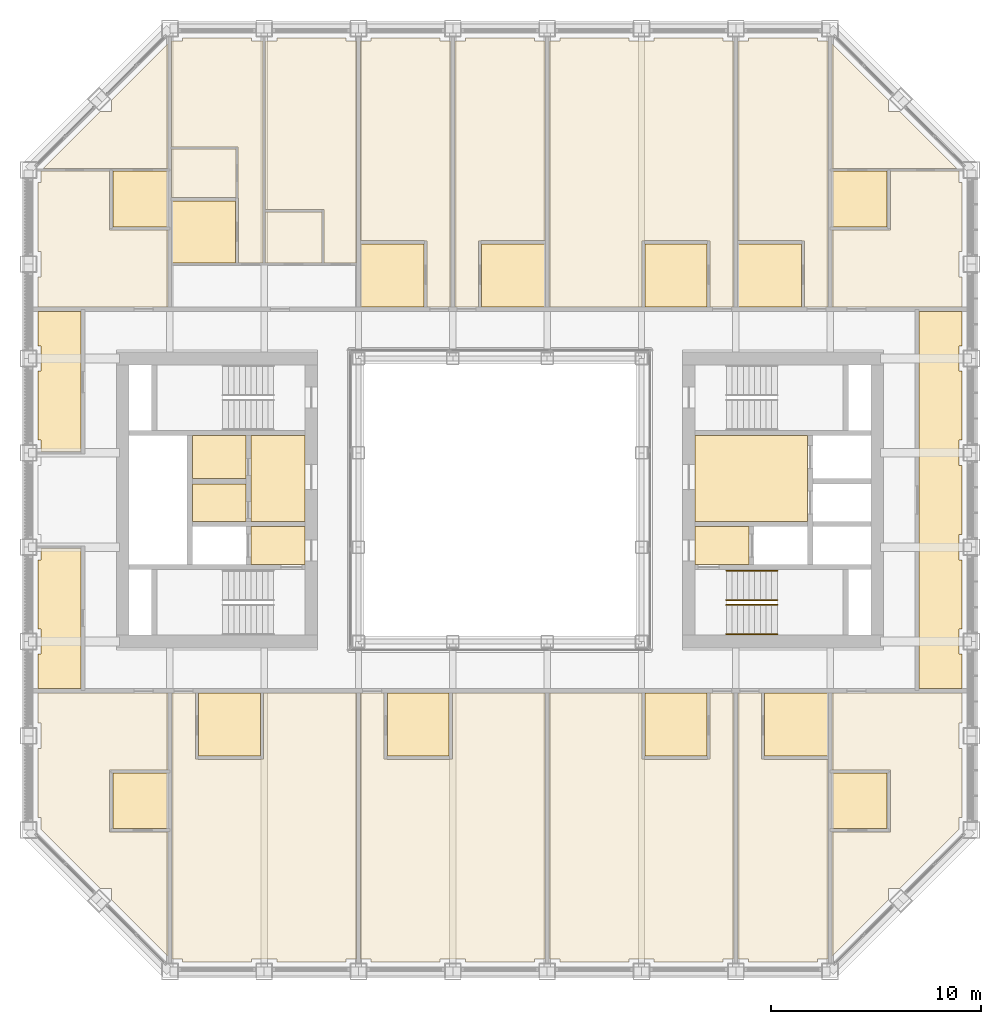
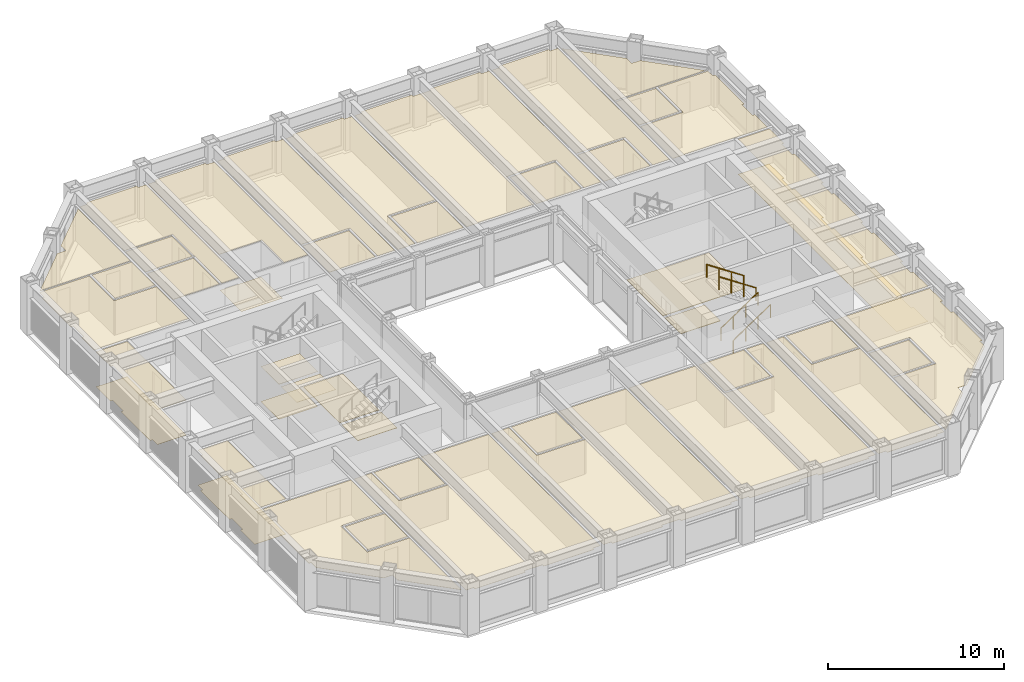
# One storey, part 16 of 17: 5 coverings, 4 railings.
"""IFC4 building model written with IfcOpenShell, lengths in metres."""

from ifc_helpers import new_model, si_unit, direction, frame, origin, origin_2d, place, context, subcontext, project, spatial, line, indexed_curve, circle, outline, extrude, material, layer, layer_set, type_object, element, save


model = new_model("IFC4")

# Units and contexts
model_context = context("Model", 3, precision=1e-05, world=origin(), true_north=direction((0.0, 1.0)))
body_context = subcontext(model_context, "Body", "Model", "MODEL_VIEW")
ifc_project = project(units=[si_unit("LENGTHUNIT", "METRE"), si_unit("AREAUNIT", "SQUARE_METRE"), si_unit("VOLUMEUNIT", "CUBIC_METRE"), si_unit("PLANEANGLEUNIT", "RADIAN"), si_unit("MASSUNIT", "GRAM", prefix="KILO")], contexts=[model_context])

# Site, building, storey
site_placement = place(None, origin())
site = spatial("IfcSite", under=ifc_project, at=site_placement, CompositionType="ELEMENT")
building_placement = place(site_placement, origin())
building = spatial("IfcBuilding", under=site, at=building_placement, Name="Msasa Ring Tower", CompositionType="ELEMENT")
storey_placement = place(building_placement, frame((0.0, 0.0, 172.39990234375)))
storey = spatial("IfcBuildingStorey", under=building, at=storey_placement, Name="L45", CompositionType="ELEMENT", Elevation=172.39990234375)

# Coverings
ifc_material_1 = material(Name="Gypsum plasterboard on a steel suspension grid", Category="steel")
ifc_layer_1 = layer(ifc_material_1, 0.014892578125)
ifc_layer_set_1 = layer_set([ifc_layer_1], Name="C1 SUSPENDED PLASTERBOARD CEILING 15")
covering_type_1 = type_object("IfcCoveringType", Name="C1 SUSPENDED PLASTERBOARD CEILING 15", PredefinedType="CEILING", material=ifc_layer_set_1)
covering_1_placement = place(storey_placement, frame((0.0, 0.0, 2.408203125)))
element("IfcCovering", 1, at=covering_1_placement, inside=storey, type_object=covering_type_1, Name="Suspended Plasterboard Ceiling 15 L45", PredefinedType="CEILING", context=body_context, shape_type="SweptSolid", body=[
    extrude(outline(indexed_curve([(-15.8505859375, -21.762451171875), (-18.5244140625, -19.08837890625), (-18.5244140625, -18.5244140625), (-19.08837890625, -18.5244140625), (-21.8994140625, -15.71337890625), (-21.8994140625, -15.1494140625), (-22.049560546875, -15.1494140625), (-22.049560546875, -11.8505859375), (-21.8994140625, -11.8505859375), (-21.8994140625, -10.6494140625), (-22.049560546875, -10.6494140625), (-22.049560546875, -9.200439453125), (-15.8505859375, -9.200439453125), (-15.8505859375, -12.869384765625), (-18.630615234375, -12.869384765625), (-18.630615234375, -15.83056640625), (-15.8505859375, -15.83056640625)], segments=[line(1, 2, 3, 4, 5, 6, 7, 8, 9, 10, 11, 12, 13, 14, 15, 16, 17, 1)], self_intersect=False)), origin(), (0.0, 0.0, 1.0), 0.014892578125),
    extrude(outline(indexed_curve([(-15.8505859375, 12.869384765625), (-15.8505859375, 9.200439453125), (-22.049560546875, 9.200439453125), (-22.049560546875, 10.6494140625), (-21.8994140625, 10.6494140625), (-21.8994140625, 11.8505859375), (-22.049560546875, 11.8505859375), (-22.049560546875, 15.1494140625), (-21.8994140625, 15.1494140625), (-21.8994140625, 15.694580078125), (-18.630615234375, 15.694580078125), (-18.630615234375, 12.869384765625)], segments=[line(1, 2, 3, 4, 5, 6, 7, 8, 9, 10, 11, 12, 1)], self_intersect=False)), origin(), (0.0, 0.0, 1.0), 0.014892578125),
    extrude(outline(indexed_curve([(-19.08837890625, 18.5244140625), (-18.5244140625, 18.5244140625), (-18.5244140625, 19.08837890625), (-15.8505859375, 21.762451171875), (-15.8505859375, 15.805419921875), (-21.807373046875, 15.805419921875)], segments=[line(1, 2, 3, 4, 5, 6, 1)], self_intersect=False)), origin(), (0.0, 0.0, 1.0), 0.014892578125),
    extrude(outline(indexed_curve([(-11.8505859375, 22.049560546875), (-11.8505859375, 21.8994140625), (-11.310546875, 21.8994140625), (-11.310546875, 11.300537109375), (-12.474609375, 11.300537109375), (-12.474609375, 14.39990234375), (-12.49951171875, 14.39990234375), (-12.49951171875, 16.8505859375), (-15.662109375, 16.8505859375), (-15.662109375, 21.8994140625), (-15.1494140625, 21.8994140625), (-15.1494140625, 22.049560546875)], segments=[line(1, 2, 3, 4, 5, 6, 7, 8, 9, 10, 11, 12, 1)], self_intersect=False)), origin(), (0.0, 0.0, 1.0), 0.014892578125),
    extrude(outline(indexed_curve([(-12.6005859375, 16.744384765625), (-12.6005859375, 14.430419921875), (-15.662109375, 14.430419921875), (-15.662109375, 16.744384765625)], segments=[line(1, 2, 3, 4, 1)], self_intersect=False)), origin(), (0.0, 0.0, 1.0), 0.014892578125),
    extrude(outline(indexed_curve([(-14.525390625, -12.35009765625), (-14.39990234375, -12.3505859375), (-14.39990234375, -12.37548828125), (-11.39990234375, -12.37548828125), (-11.39990234375, -12.3505859375), (-11.2744140625, -12.35009765625), (-11.2744140625, -9.200439453125), (-6.8505859375, -9.200439453125), (-6.8505859375, -21.8994140625), (-7.3505859375, -21.8994140625), (-7.3505859375, -22.049560546875), (-10.6494140625, -22.049560546875), (-10.6494140625, -21.8994140625), (-11.8505859375, -21.8994140625), (-11.8505859375, -22.049560546875), (-15.1494140625, -22.049560546875), (-15.1494140625, -21.8994140625), (-15.6494140625, -21.8994140625), (-15.6494140625, -9.200439453125), (-14.525390625, -9.200439453125)], segments=[line(1, 2, 3, 4, 5, 6, 7, 8, 9, 10, 11, 12, 13, 14, 15, 16, 17, 18, 19, 20, 1)], self_intersect=False)), origin(), (0.0, 0.0, 1.0), 0.014892578125),
    extrude(outline(indexed_curve([(-7.3505859375, 22.049560546875), (-7.3505859375, 21.8994140625), (-6.837890625, 21.8994140625), (-6.837890625, 11.300537109375), (-8.3994140625, 11.300537109375), (-8.3994140625, 13.8505859375), (-11.189453125, 13.8505859375), (-11.189453125, 21.8994140625), (-10.6494140625, 21.8994140625), (-10.6494140625, 22.049560546875)], segments=[line(1, 2, 3, 4, 5, 6, 7, 8, 9, 10, 1)], self_intersect=False)), origin(), (0.0, 0.0, 1.0), 0.014892578125),
    extrude(outline(indexed_curve([(-5.39990234375, -12.3505859375), (-5.39990234375, -12.37548828125), (-2.39990234375, -12.37548828125), (-2.39990234375, -12.3505859375), (-2.2744140625, -12.35009765625), (-2.2744140625, -9.200439453125), (2.1494140625, -9.200439453125), (2.1494140625, -21.8994140625), (1.6494140625, -21.8994140625), (1.6494140625, -22.049560546875), (-1.6494140625, -22.049560546875), (-1.6494140625, -21.8994140625), (-2.8505859375, -21.8994140625), (-2.8505859375, -22.049560546875), (-6.1494140625, -22.049560546875), (-6.1494140625, -21.8994140625), (-6.6494140625, -21.8994140625), (-6.6494140625, -9.200439453125), (-5.525390625, -9.200439453125), (-5.525390625, -12.35009765625)], segments=[line(1, 2, 3, 4, 5, 6, 7, 8, 9, 10, 11, 12, 13, 14, 15, 16, 17, 18, 19, 20, 1)], self_intersect=False)), origin(), (0.0, 0.0, 1.0), 0.014892578125),
    extrude(outline(indexed_curve([(-2.8505859375, 22.049560546875), (-2.8505859375, 21.8994140625), (-2.3505859375, 21.8994140625), (-2.3505859375, 9.200439453125), (-3.474609375, 9.200439453125), (-3.474609375, 12.35009765625), (-3.60009765625, 12.3505859375), (-3.60009765625, 12.37548828125), (-6.6494140625, 12.37548828125), (-6.6494140625, 21.8994140625), (-6.1494140625, 21.8994140625), (-6.1494140625, 22.049560546875)], segments=[line(1, 2, 3, 4, 5, 6, 7, 8, 9, 10, 11, 12, 1)], self_intersect=False)), origin(), (0.0, 0.0, 1.0), 0.014892578125),
    extrude(outline(indexed_curve([(-2.1494140625, 9.200439453125), (-2.1494140625, 21.8994140625), (-1.6494140625, 21.8994140625), (-1.6494140625, 22.049560546875), (1.6494140625, 22.049560546875), (1.6494140625, 21.8994140625), (2.1494140625, 21.8994140625), (2.1494140625, 12.37548828125), (-0.89990234375, 12.37548828125), (-0.89990234375, 12.3505859375), (-1.025390625, 12.35009765625), (-1.025390625, 9.200439453125)], segments=[line(1, 2, 3, 4, 5, 6, 7, 8, 9, 10, 11, 12, 1)], self_intersect=False)), origin(), (0.0, 0.0, 1.0), 0.014892578125),
    extrude(outline(indexed_curve([(6.89990234375, -12.3505859375), (6.89990234375, -12.37548828125), (9.89990234375, -12.37548828125), (9.89990234375, -12.3505859375), (10.025390625, -12.35009765625), (10.025390625, -9.200439453125), (11.1494140625, -9.200439453125), (11.1494140625, -21.8994140625), (10.6494140625, -21.8994140625), (10.6494140625, -22.049560546875), (7.3505859375, -22.049560546875), (7.3505859375, -21.8994140625), (6.1494140625, -21.8994140625), (6.1494140625, -22.049560546875), (2.8505859375, -22.049560546875), (2.8505859375, -21.8994140625), (2.3505859375, -21.8994140625), (2.3505859375, -9.200439453125), (6.7744140625, -9.200439453125), (6.7744140625, -12.35009765625)], segments=[line(1, 2, 3, 4, 5, 6, 7, 8, 9, 10, 11, 12, 13, 14, 15, 16, 17, 18, 19, 20, 1)], self_intersect=False)), origin(), (0.0, 0.0, 1.0), 0.014892578125),
    extrude(outline(indexed_curve([(9.89990234375, 12.3505859375), (9.89990234375, 12.37548828125), (6.89990234375, 12.37548828125), (6.89990234375, 12.3505859375), (6.7744140625, 12.35009765625), (6.7744140625, 9.200439453125), (2.3505859375, 9.200439453125), (2.3505859375, 21.8994140625), (2.8505859375, 21.8994140625), (2.8505859375, 22.049560546875), (6.1494140625, 22.049560546875), (6.1494140625, 21.8994140625), (7.3505859375, 21.8994140625), (7.3505859375, 22.049560546875), (10.6494140625, 22.049560546875), (10.6494140625, 21.8994140625), (11.1494140625, 21.8994140625), (11.1494140625, 9.200439453125), (10.025390625, 9.200439453125), (10.025390625, 12.35009765625)], segments=[line(1, 2, 3, 4, 5, 6, 7, 8, 9, 10, 11, 12, 13, 14, 15, 16, 17, 18, 19, 20, 1)], self_intersect=False)), origin(), (0.0, 0.0, 1.0), 0.014892578125),
    extrude(outline(indexed_curve([(11.8505859375, -22.049560546875), (11.8505859375, -21.8994140625), (11.3505859375, -21.8994140625), (11.3505859375, -9.200439453125), (12.474609375, -9.200439453125), (12.474609375, -12.35009765625), (12.60009765625, -12.3505859375), (12.60009765625, -12.37548828125), (15.6494140625, -12.37548828125), (15.6494140625, -21.8994140625), (15.1494140625, -21.8994140625), (15.1494140625, -22.049560546875)], segments=[line(1, 2, 3, 4, 5, 6, 7, 8, 9, 10, 11, 12, 1)], self_intersect=False)), origin(), (0.0, 0.0, 1.0), 0.014892578125),
    extrude(outline(indexed_curve([(15.6494140625, 9.200439453125), (14.525390625, 9.200439453125), (14.525390625, 12.35009765625), (14.39990234375, 12.3505859375), (14.39990234375, 12.37548828125), (11.3505859375, 12.37548828125), (11.3505859375, 21.8994140625), (11.8505859375, 21.8994140625), (11.8505859375, 22.049560546875), (15.1494140625, 22.049560546875), (15.1494140625, 21.8994140625), (15.6494140625, 21.8994140625)], segments=[line(1, 2, 3, 4, 5, 6, 7, 8, 9, 10, 11, 12, 1)], self_intersect=False)), origin(), (0.0, 0.0, 1.0), 0.014892578125),
    extrude(outline(indexed_curve([(18.630615234375, -12.869384765625), (15.8505859375, -12.869384765625), (15.8505859375, -9.200439453125), (22.049560546875, -9.200439453125), (22.049560546875, -10.6494140625), (21.8994140625, -10.6494140625), (21.8994140625, -11.8505859375), (22.049560546875, -11.8505859375), (22.049560546875, -15.1494140625), (21.8994140625, -15.1494140625), (21.8994140625, -15.71337890625), (19.08837890625, -18.5244140625), (18.5244140625, -18.5244140625), (18.5244140625, -19.08837890625), (15.8505859375, -21.762451171875), (15.8505859375, -15.83056640625), (18.630615234375, -15.83056640625)], segments=[line(1, 2, 3, 4, 5, 6, 7, 8, 9, 10, 11, 12, 13, 14, 15, 16, 17, 1)], self_intersect=False)), origin(), (0.0, 0.0, 1.0), 0.014892578125),
    extrude(outline(indexed_curve([(22.049560546875, 11.8505859375), (21.8994140625, 11.8505859375), (21.8994140625, 10.6494140625), (22.049560546875, 10.6494140625), (22.049560546875, 9.200439453125), (15.8505859375, 9.200439453125), (15.8505859375, 12.869384765625), (18.630615234375, 12.869384765625), (18.630615234375, 15.694580078125), (21.8994140625, 15.694580078125), (21.8994140625, 15.1494140625), (22.049560546875, 15.1494140625)], segments=[line(1, 2, 3, 4, 5, 6, 7, 8, 9, 10, 11, 12, 1)], self_intersect=False)), origin(), (0.0, 0.0, 1.0), 0.014892578125),
    extrude(outline(indexed_curve([(15.8505859375, 15.805419921875), (15.8505859375, 21.762451171875), (18.5244140625, 19.08837890625), (18.5244140625, 18.5244140625), (19.08837890625, 18.5244140625), (21.807373046875, 15.805419921875)], segments=[line(1, 2, 3, 4, 5, 6, 1)], self_intersect=False)), origin(), (0.0, 0.0, 1.0), 0.014892578125),
])
ifc_material_2 = material(Name="Moisture-resistant gypsum plasterboard on a steel suspension grid", Category="steel")
ifc_layer_2 = layer(ifc_material_2, 0.014892578125)
ifc_layer_set_2 = layer_set([ifc_layer_2], Name="C2 MOISTURE-RESISTANT PLASTERBOARD CEILING 15")
covering_type_2 = type_object("IfcCoveringType", Name="C2 MOISTURE-RESISTANT PLASTERBOARD CEILING 15", PredefinedType="CEILING", material=ifc_layer_set_2)
covering_2_placement = place(storey_placement, frame((0.0, 0.0, 2.400146484375)))
element("IfcCovering", 2, at=covering_2_placement, inside=storey, type_object=covering_type_2, Name="Moisture-Resistant Plasterboard Ceiling 15 L45", PredefinedType="CEILING", context=body_context, shape_type="SweptSolid", body=[
    extrude(outline(indexed_curve([(-18.469482421875, -15.66943359375), (-18.469482421875, -13.030517578125), (-15.8505859375, -13.030517578125), (-15.8505859375, -15.66943359375)], segments=[line(1, 2, 3, 4, 1)], self_intersect=False)), origin(), (0.0, 0.0, 1.0), 0.014892578125),
    extrude(outline(indexed_curve([(-18.469482421875, 15.694580078125), (-15.8505859375, 15.694580078125), (-15.8505859375, 13.030517578125), (-18.469482421875, 13.030517578125)], segments=[line(1, 2, 3, 4, 1)], self_intersect=False)), origin(), (0.0, 0.0, 1.0), 0.014892578125),
    extrude(outline(indexed_curve([(-15.662109375, 11.300537109375), (-15.662109375, 14.2744140625), (-12.62548828125, 14.2744140625), (-12.62548828125, 11.300537109375)], segments=[line(1, 2, 3, 4, 1)], self_intersect=False)), origin(), (0.0, 0.0, 1.0), 0.014892578125),
    extrude(outline(indexed_curve([(-14.674560546875, 0.7744140625), (-12.12548828125, 0.7744140625), (-12.12548828125, -1.0244140625), (-14.674560546875, -1.0244140625)], segments=[line(1, 2, 3, 4, 1)], self_intersect=False)), origin(), (0.0, 0.0, 1.0), 0.014892578125),
    extrude(outline(indexed_curve([(-11.425537109375, -9.200439453125), (-11.425537109375, -12.224609375), (-14.37451171875, -12.224609375), (-14.37451171875, -9.200439453125)], segments=[line(1, 2, 3, 4, 1)], self_intersect=False)), origin(), (0.0, 0.0, 1.0), 0.014892578125),
    extrude(outline(indexed_curve([(-6.6494140625, 12.224609375), (-3.62548828125, 12.224609375), (-3.62548828125, 9.200439453125), (-6.6494140625, 9.200439453125)], segments=[line(1, 2, 3, 4, 1)], self_intersect=False)), origin(), (0.0, 0.0, 1.0), 0.014892578125),
    extrude(outline(indexed_curve([(-2.425537109375, -9.200439453125), (-2.425537109375, -12.224609375), (-5.37451171875, -12.224609375), (-5.37451171875, -9.200439453125)], segments=[line(1, 2, 3, 4, 1)], self_intersect=False)), origin(), (0.0, 0.0, 1.0), 0.014892578125),
    extrude(outline(indexed_curve([(2.1494140625, 9.200439453125), (-0.87451171875, 9.200439453125), (-0.87451171875, 12.224609375), (2.1494140625, 12.224609375)], segments=[line(1, 2, 3, 4, 1)], self_intersect=False)), origin(), (0.0, 0.0, 1.0), 0.014892578125),
    extrude(outline(indexed_curve([(9.87451171875, -9.200439453125), (9.87451171875, -12.224609375), (6.925537109375, -12.224609375), (6.925537109375, -9.200439453125)], segments=[line(1, 2, 3, 4, 1)], self_intersect=False)), origin(), (0.0, 0.0, 1.0), 0.014892578125),
    extrude(outline(indexed_curve([(6.925537109375, 9.200439453125), (6.925537109375, 12.224609375), (9.87451171875, 12.224609375), (9.87451171875, 9.200439453125)], segments=[line(1, 2, 3, 4, 1)], self_intersect=False)), origin(), (0.0, 0.0, 1.0), 0.014892578125),
    extrude(outline(indexed_curve([(11.3505859375, 12.224609375), (14.37451171875, 12.224609375), (14.37451171875, 9.200439453125), (11.3505859375, 9.200439453125)], segments=[line(1, 2, 3, 4, 1)], self_intersect=False)), origin(), (0.0, 0.0, 1.0), 0.014892578125),
    extrude(outline(indexed_curve([(15.6494140625, -9.200439453125), (15.6494140625, -12.224609375), (12.62548828125, -12.224609375), (12.62548828125, -9.200439453125)], segments=[line(1, 2, 3, 4, 1)], self_intersect=False)), origin(), (0.0, 0.0, 1.0), 0.014892578125),
    extrude(outline(indexed_curve([(15.8505859375, -15.66943359375), (15.8505859375, -13.030517578125), (18.469482421875, -13.030517578125), (18.469482421875, -15.66943359375)], segments=[line(1, 2, 3, 4, 1)], self_intersect=False)), origin(), (0.0, 0.0, 1.0), 0.014892578125),
    extrude(outline(indexed_curve([(15.8505859375, 15.694580078125), (18.469482421875, 15.694580078125), (18.469482421875, 13.030517578125), (15.8505859375, 13.030517578125)], segments=[line(1, 2, 3, 4, 1)], self_intersect=False)), origin(), (0.0, 0.0, 1.0), 0.014892578125),
])
ifc_material_3 = material(Name="Mineral fibre ceiling tiles on an exposed steel grid", Category="steel")
ifc_layer_3 = layer(ifc_material_3, 0.02001953125)
ifc_layer_set_3 = layer_set([ifc_layer_3], Name="C3 ACOUSTIC MINERAL FIBRE TILE CEILING 20")
covering_type_3 = type_object("IfcCoveringType", Name="C3 ACOUSTIC MINERAL FIBRE TILE CEILING 20", PredefinedType="CEILING", material=ifc_layer_set_3)
covering_3_placement = place(storey_placement, frame((0.0, 0.0, 2.4091796875)))
element("IfcCovering", 3, at=covering_3_placement, inside=storey, type_object=covering_type_3, Name="Acoustic Mineral Fibre Tile Ceiling 20 L45", PredefinedType="CEILING", context=body_context, shape_type="SweptSolid", body=[
    extrude(outline(indexed_curve([(-22.049560546875, -7.3505859375), (-21.8994140625, -7.3505859375), (-21.8994140625, -6.1494140625), (-22.049560546875, -6.1494140625), (-22.049560546875, -2.8505859375), (-21.8994140625, -2.8505859375), (-21.8994140625, -2.305419921875), (-20.00048828125, -2.305419921875), (-20.00048828125, -8.99951171875), (-22.049560546875, -8.99951171875)], segments=[line(1, 2, 3, 4, 5, 6, 7, 8, 9, 10, 1)], self_intersect=False)), origin(), (0.0, 0.0, 1.0), 0.02001953125),
    extrude(outline(indexed_curve([(-22.049560546875, 6.1494140625), (-21.8994140625, 6.1494140625), (-21.8994140625, 7.3505859375), (-22.049560546875, 7.3505859375), (-22.049560546875, 8.99951171875), (-20.00048828125, 8.99951171875), (-20.00048828125, 2.305419921875), (-21.8994140625, 2.305419921875), (-21.8994140625, 2.8505859375), (-22.049560546875, 2.8505859375)], segments=[line(1, 2, 3, 4, 5, 6, 7, 8, 9, 10, 1)], self_intersect=False)), origin(), (0.0, 0.0, 1.0), 0.02001953125),
    extrude(outline(indexed_curve([(-12.12548828125, 1.025390625), (-14.674560546875, 1.025390625), (-14.674560546875, 3.074462890625), (-12.12548828125, 3.074462890625)], segments=[line(1, 2, 3, 4, 1)], self_intersect=False)), origin(), (0.0, 0.0, 1.0), 0.02001953125),
    extrude(outline(indexed_curve([(22.049560546875, 8.99951171875), (22.049560546875, 7.3505859375), (21.8994140625, 7.3505859375), (21.8994140625, 6.1494140625), (22.049560546875, 6.1494140625), (22.049560546875, 2.8505859375), (21.8994140625, 2.8505859375), (21.8994140625, 1.6494140625), (22.049560546875, 1.6494140625), (22.049560546875, -1.6494140625), (21.8994140625, -1.6494140625), (21.8994140625, -2.8505859375), (22.049560546875, -2.8505859375), (22.049560546875, -6.1494140625), (21.8994140625, -6.1494140625), (21.8994140625, -7.3505859375), (22.049560546875, -7.3505859375), (22.049560546875, -8.99951171875), (20.00048828125, -8.99951171875), (20.00048828125, 8.99951171875)], segments=[line(1, 2, 3, 4, 5, 6, 7, 8, 9, 10, 11, 12, 13, 14, 15, 16, 17, 18, 19, 20, 1)], self_intersect=False)), origin(), (0.0, 0.0, 1.0), 0.02001953125),
])
ifc_material_4 = material(Name="Honed granite tiles on a mortar bed", Category="masonry")
ifc_layer_4 = layer(ifc_material_4, 0.030029296875)
ifc_layer_set_4 = layer_set([ifc_layer_4], Name="F1 HONED GRANITE ON BEDDING 30")
covering_type_4 = type_object("IfcCoveringType", Name="F1 HONED GRANITE ON BEDDING 30", PredefinedType="FLOORING", material=ifc_layer_set_4)
covering_4_placement = place(storey_placement, origin())
element("IfcCovering", 4, at=covering_4_placement, inside=storey, type_object=covering_type_4, Name="Honed Granite On Bedding 30 L45", PredefinedType="FLOORING", context=body_context, shape_type="SweptSolid", body=[
    extrude(outline(indexed_curve([(-11.87451171875, -3.074462890625), (-11.87451171875, -1.275390625), (-9.300537109375, -1.275390625), (-9.300537109375, -3.074462890625)], segments=[line(1, 2, 3, 4, 1)], self_intersect=False)), origin(), (0.0, 0.0, 1.0), 0.030029296875),
    extrude(outline(indexed_curve([(-11.87451171875, -1.0244140625), (-11.87451171875, 3.074462890625), (-9.300537109375, 3.074462890625), (-9.300537109375, -1.0244140625)], segments=[line(1, 2, 3, 4, 1)], self_intersect=False)), origin(), (0.0, 0.0, 1.0), 0.030029296875),
    extrude(outline(indexed_curve([(9.300537109375, -3.074462890625), (9.300537109375, -1.275390625), (11.87451171875, -1.275390625), (11.87451171875, -3.074462890625)], segments=[line(1, 2, 3, 4, 1)], self_intersect=False)), origin(), (0.0, 0.0, 1.0), 0.030029296875),
    extrude(outline(indexed_curve([(9.300537109375, -1.0244140625), (9.300537109375, 3.074462890625), (14.674560546875, 3.074462890625), (14.674560546875, -1.0244140625)], segments=[line(1, 2, 3, 4, 1)], self_intersect=False)), origin(), (0.0, 0.0, 1.0), 0.030029296875),
])
ifc_material_5 = material(Name="Welded vinyl safety sheet flooring", Category="vinyl")
ifc_layer_5 = layer(ifc_material_5, 0.0029296875)
ifc_layer_set_5 = layer_set([ifc_layer_5], Name="F5 RESILIENT SHEET FLOORING 3")
covering_type_5 = type_object("IfcCoveringType", Name="F5 RESILIENT SHEET FLOORING 3", PredefinedType="FLOORING", material=ifc_layer_set_5)
covering_5_placement = place(storey_placement, origin())
element("IfcCovering", 5, at=covering_5_placement, inside=storey, type_object=covering_type_5, Name="Resilient Sheet Flooring 3 L45", PredefinedType="FLOORING", context=body_context, shape_type="SweptSolid", body=[
    extrude(outline(indexed_curve([(-20.00048828125, -2.305419921875), (-20.00048828125, -8.99951171875), (-22.049560546875, -8.99951171875), (-22.049560546875, -7.3505859375), (-21.8994140625, -7.3505859375), (-21.8994140625, -6.1494140625), (-22.049560546875, -6.1494140625), (-22.049560546875, -2.8505859375), (-21.8994140625, -2.8505859375), (-21.8994140625, -2.305419921875)], segments=[line(1, 2, 3, 4, 5, 6, 7, 8, 9, 10, 1)], self_intersect=False)), origin(), (0.0, 0.0, 1.0), 0.003173828125),
    extrude(outline(indexed_curve([(-20.00048828125, 2.305419921875), (-21.8994140625, 2.305419921875), (-21.8994140625, 2.8505859375), (-22.049560546875, 2.8505859375), (-22.049560546875, 6.1494140625), (-21.8994140625, 6.1494140625), (-21.8994140625, 7.3505859375), (-22.049560546875, 7.3505859375), (-22.049560546875, 8.99951171875), (-20.00048828125, 8.99951171875)], segments=[line(1, 2, 3, 4, 5, 6, 7, 8, 9, 10, 1)], self_intersect=False)), origin(), (0.0, 0.0, 1.0), 0.003173828125),
    extrude(outline(indexed_curve([(-14.674560546875, 3.074462890625), (-12.12548828125, 3.074462890625), (-12.12548828125, 1.025390625), (-14.674560546875, 1.025390625)], segments=[line(1, 2, 3, 4, 1)], self_intersect=False)), origin(), (0.0, 0.0, 1.0), 0.003173828125),
    extrude(outline(indexed_curve([(-11.189453125, 13.74951171875), (-8.50048828125, 13.74951171875), (-8.50048828125, 11.300537109375), (-11.189453125, 11.300537109375)], segments=[line(1, 2, 3, 4, 1)], self_intersect=False)), origin(), (0.0, 0.0, 1.0), 0.003173828125),
    extrude(outline(indexed_curve([(22.049560546875, 7.3505859375), (21.8994140625, 7.3505859375), (21.8994140625, 6.1494140625), (22.049560546875, 6.1494140625), (22.049560546875, 2.8505859375), (21.8994140625, 2.8505859375), (21.8994140625, 1.6494140625), (22.049560546875, 1.6494140625), (22.049560546875, -1.6494140625), (21.8994140625, -1.6494140625), (21.8994140625, -2.8505859375), (22.049560546875, -2.8505859375), (22.049560546875, -6.1494140625), (21.8994140625, -6.1494140625), (21.8994140625, -7.3505859375), (22.049560546875, -7.3505859375), (22.049560546875, -8.99951171875), (20.00048828125, -8.99951171875), (20.00048828125, 8.99951171875), (22.049560546875, 8.99951171875)], segments=[line(1, 2, 3, 4, 5, 6, 7, 8, 9, 10, 11, 12, 13, 14, 15, 16, 17, 18, 19, 20, 1)], self_intersect=False)), origin(), (0.0, 0.0, 1.0), 0.003173828125),
])

# Railings
ifc_material_6 = material(Name="Stainless steel", Category="steel")
railing_type = type_object("IfcRailingType", Name="HR1 HANDRAIL 900", PredefinedType="HANDRAIL", material=ifc_material_6)
for number, where, name in (
    (6, (10.800048828125, -6.39990234375, 0.18017578125), "Handrail stair SEA L45 1"),
    (7, (10.800048828125, -5.0, 0.18017578125), "Handrail stair SEA L45 2"),
):
    element("IfcRailing", number, at=place(storey_placement, frame(where)), inside=storey, type_object=railing_type, Name=name, PredefinedType="HANDRAIL", context=body_context, shape_type="SweptSolid", body=[
        extrude(circle(Radius=0.02392578125, at=origin_2d()), frame((0.0, 0.0, 0.8759765625), z_axis=(0.832063155534, 0.0, 0.554680903946), x_axis=(0.0, 1.0, 0.0)), (0.0, 0.0, 1.0), 2.92041015625),
        extrude(circle(Radius=0.02099609375, at=origin_2d()), origin(), (0.0, 0.0, 1.0), 0.851806640625),
        extrude(circle(Radius=0.02099609375, at=origin_2d()), frame((0.81005859375, 0.0, 0.5400390625)), (0.0, 0.0, 1.0), 0.851806640625),
        extrude(circle(Radius=0.02099609375, at=origin_2d()), frame((1.619873046875, 0.0, 1.079833984375)), (0.0, 0.0, 1.0), 0.851806640625),
        extrude(circle(Radius=0.02099609375, at=origin_2d()), frame((2.429931640625, 0.0, 1.619873046875)), (0.0, 0.0, 1.0), 0.851806640625),
    ])
for number, where, name in (
    (8, (13.22998046875, -4.77490234375, 1.97998046875), "Handrail stair SEA L45 3"),
    (9, (13.22998046875, -3.375, 1.97998046875), "Handrail stair SEA L45 4"),
):
    element("IfcRailing", number, at=place(storey_placement, frame(where)), inside=storey, type_object=railing_type, Name=name, PredefinedType="HANDRAIL", context=body_context, shape_type="SweptSolid", body=[
        extrude(circle(Radius=0.02392578125, at=origin_2d()), frame((0.0, 0.0, 0.8759765625), z_axis=(-0.832024571796, 0.0, 0.554738778101), x_axis=(0.0, -1.0, 0.0)), (0.0, 0.0, 1.0), 2.92041015625),
        extrude(circle(Radius=0.02099609375, at=origin_2d()), origin(), (0.0, 0.0, 1.0), 0.851806640625),
        extrude(circle(Radius=0.02099609375, at=origin_2d()), frame((-0.81005859375, 0.0, 0.5400390625)), (0.0, 0.0, 1.0), 0.851806640625),
        extrude(circle(Radius=0.02099609375, at=origin_2d()), frame((-1.619873046875, 0.0, 1.080078125)), (0.0, 0.0, 1.0), 0.851806640625),
        extrude(circle(Radius=0.02099609375, at=origin_2d()), frame((-2.429931640625, 0.0, 1.6201171875)), (0.0, 0.0, 1.0), 0.851806640625),
    ])

save(model, "model.ifc")
